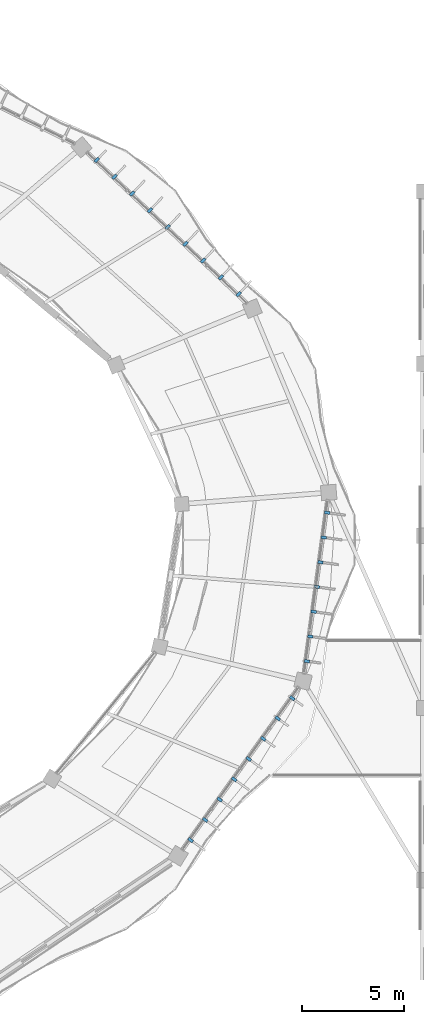
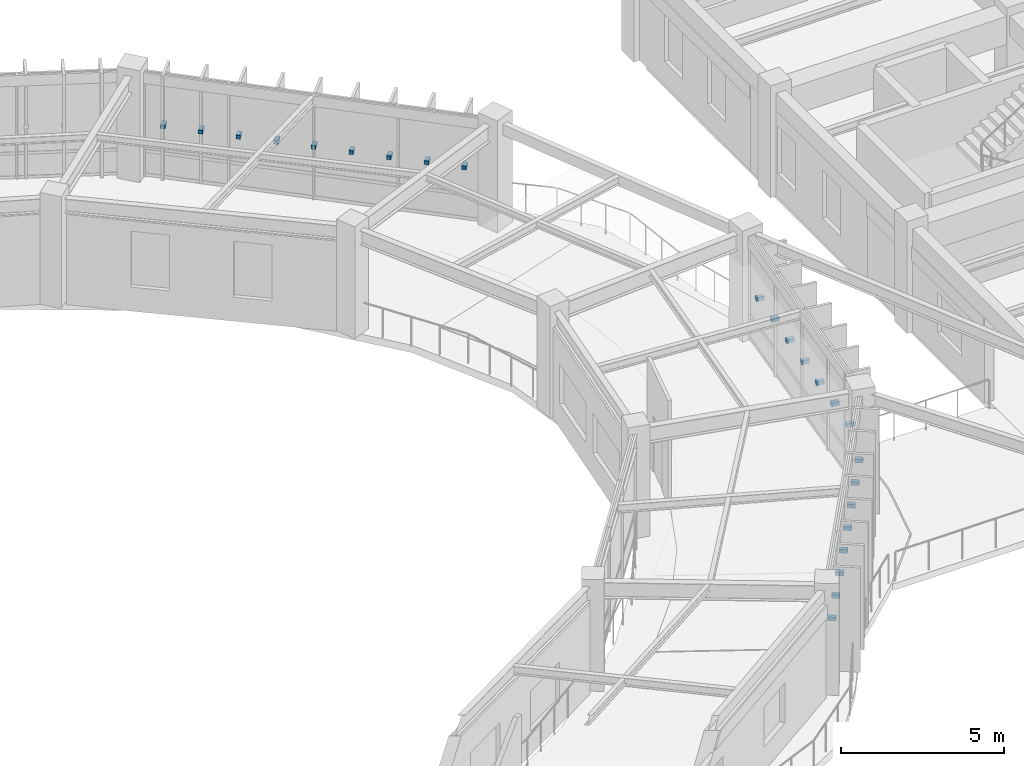
# One storey, part 136 of 152: 24 discrete accessories.
"""IFC4 building model written with IfcOpenShell, lengths in metres."""

from ifc_helpers import new_model, si_unit, direction, frame, origin, origin_2d, place, context, subcontext, project, spatial, rectangle, extrude, material, type_object, element, save


model = new_model("IFC4")

# Units and contexts
model_context = context("Model", 3, precision=1e-05, world=origin(), true_north=direction((0.0, 1.0)))
body_context = subcontext(model_context, "Body", "Model", "MODEL_VIEW")
ifc_project = project(units=[si_unit("LENGTHUNIT", "METRE"), si_unit("AREAUNIT", "SQUARE_METRE"), si_unit("VOLUMEUNIT", "CUBIC_METRE"), si_unit("PLANEANGLEUNIT", "RADIAN"), si_unit("MASSUNIT", "GRAM", prefix="KILO"), si_unit("THERMODYNAMICTEMPERATUREUNIT", "KELVIN"), si_unit("POWERUNIT", "WATT")], contexts=[model_context])

# Site, building, storey
site_placement = place(None, origin())
site = spatial("IfcSite", under=ifc_project, at=site_placement, CompositionType="ELEMENT")
building_placement = place(site_placement, origin())
building = spatial("IfcBuilding", under=site, at=building_placement, Name="Darbajah Civic Hall", CompositionType="ELEMENT")
storey_placement = place(building_placement, frame((0.0, 0.0, 5.39990234375)))
storey = spatial("IfcBuildingStorey", under=building, at=storey_placement, Name="L01", CompositionType="ELEMENT", Elevation=5.39990234375)

# Discrete accessories
ifc_material = material(Name="Stainless Steel S355JR", Category="steel")
discrete_accessory_type = type_object("IfcDiscreteAccessoryType", Name="Stainless Facade Support Bracket", PredefinedType="BRACKET", material=ifc_material)
for number, where, z_axis, x_axis, name in (
    (1, (135.55224609375, 101.800048828125, 1.89013671875), (0.0, 0.0, 1.0), (0.686453193248, 0.727173991201, 0.0), "L01 shading fin bracket 01-1"),
    (2, (134.686767578125, 102.616943359375, 1.89013671875), (0.0, 0.0, 1.0), (0.686453193248, 0.727173991201, 0.0), "L01 shading fin bracket 01-2"),
    (3, (133.8212890625, 103.433837890625, 1.89013671875), (0.0, 0.0, 1.0), (0.686453193248, 0.727173991201, 0.0), "L01 shading fin bracket 01-3"),
    (4, (132.955810546875, 104.250732421875, 1.89013671875), (0.0, 0.0, 1.0), (0.686453193248, 0.727173991201, 0.0), "L01 shading fin bracket 01-4"),
    (5, (132.090576171875, 105.067626953125, 1.89013671875), (0.0, 0.0, 1.0), (0.686453193248, 0.727173991201, 0.0), "L01 shading fin bracket 01-5"),
    (6, (131.22509765625, 105.884521484375, 1.89013671875), (0.0, 0.0, 1.0), (0.686453193248, 0.727173991201, 0.0), "L01 shading fin bracket 01-6"),
    (7, (130.359619140625, 106.701416015625, 1.89013671875), (0.0, 0.0, 1.0), (0.686453193248, 0.727173991201, 0.0), "L01 shading fin bracket 01-7"),
    (8, (129.494140625, 107.518310546875, 1.89013671875), (0.0, 0.0, 1.0), (0.686453193248, 0.727173991201, 0.0), "L01 shading fin bracket 01-8"),
    (9, (128.62890625, 108.335205078125, 1.89013671875), (0.0, 0.0, 1.0), (0.686453193248, 0.727173991201, 0.0), "L01 shading fin bracket 01-9"),
    (10, (133.20703125, 75.152587890625, 1.89013671875), (0.0, 0.0, 1.0), (0.812999149039, -0.582264874145, 0.0), "L01 shading fin bracket 18-1"),
    (11, (133.91552734375, 76.141845703125, 1.89013671875), (0.0, 0.0, 1.0), (0.812999149039, -0.582264874145, 0.0), "L01 shading fin bracket 18-2"),
    (12, (134.623779296875, 77.131103515625, 1.89013671875), (0.0, 0.0, 1.0), (0.812999149039, -0.582264874145, 0.0), "L01 shading fin bracket 18-3"),
    (13, (135.332275390625, 78.120361328125, 1.89013671875), (0.0, 0.0, 1.0), (0.812999149039, -0.582264874145, 0.0), "L01 shading fin bracket 18-4"),
    (14, (136.040771484375, 79.109619140625, 1.89013671875), (0.0, 0.0, 1.0), (0.812999149039, -0.582264874145, 0.0), "L01 shading fin bracket 18-5"),
    (15, (136.749267578125, 80.098876953125, 1.89013671875), (0.0, 0.0, 1.0), (0.812999149039, -0.582264874145, 0.0), "L01 shading fin bracket 18-6"),
    (16, (137.45751953125, 81.088134765625, 1.89013671875), (0.0, 0.0, 1.0), (0.812999149039, -0.582264874145, 0.0), "L01 shading fin bracket 18-7"),
    (17, (138.166015625, 82.077392578125, 1.89013671875), (0.0, 0.0, 1.0), (0.812999149039, -0.582264874145, 0.0), "L01 shading fin bracket 18-8"),
    (18, (138.88330078125, 83.8828125, 1.89013671875), (0.0, 0.0, 1.0), (0.990865897387, -0.134850930274, 0.0), "L01 shading fin bracket 19-1"),
    (19, (139.047607421875, 85.090576171875, 1.89013671875), (0.0, 0.0, 1.0), (0.990865897387, -0.134850930274, 0.0), "L01 shading fin bracket 19-2"),
    (20, (139.2119140625, 86.298095703125, 1.89013671875), (0.0, 0.0, 1.0), (0.990865897387, -0.134850930274, 0.0), "L01 shading fin bracket 19-3"),
    (21, (139.376220703125, 87.505859375, 1.89013671875), (0.0, 0.0, 1.0), (0.990865897387, -0.134850930274, 0.0), "L01 shading fin bracket 19-4"),
    (22, (139.54052734375, 88.713623046875, 1.89013671875), (0.0, 0.0, 1.0), (0.990865897387, -0.134850930274, 0.0), "L01 shading fin bracket 19-5"),
    (23, (139.705078125, 89.92138671875, 1.89013671875), (0.0, 0.0, 1.0), (0.990865897387, -0.134850930274, 0.0), "L01 shading fin bracket 19-6"),
    (24, (139.869384765625, 91.12890625, 1.89013671875), (0.0, 0.0, 1.0), (0.990865897387, -0.134850930274, 0.0), "L01 shading fin bracket 19-7"),
):
    element("IfcDiscreteAccessory", number, at=place(storey_placement, frame(where, z_axis=z_axis, x_axis=x_axis)), inside=storey, type_object=discrete_accessory_type, Name=name, PredefinedType="BRACKET", context=body_context, shape_type="SweptSolid", body=[
        extrude(rectangle(XDim=0.260009765625, YDim=0.139892578125, at=origin_2d()), origin(), (0.0, 0.0, 1.0), 0.139892578125),
    ])

save(model, "model.ifc")
